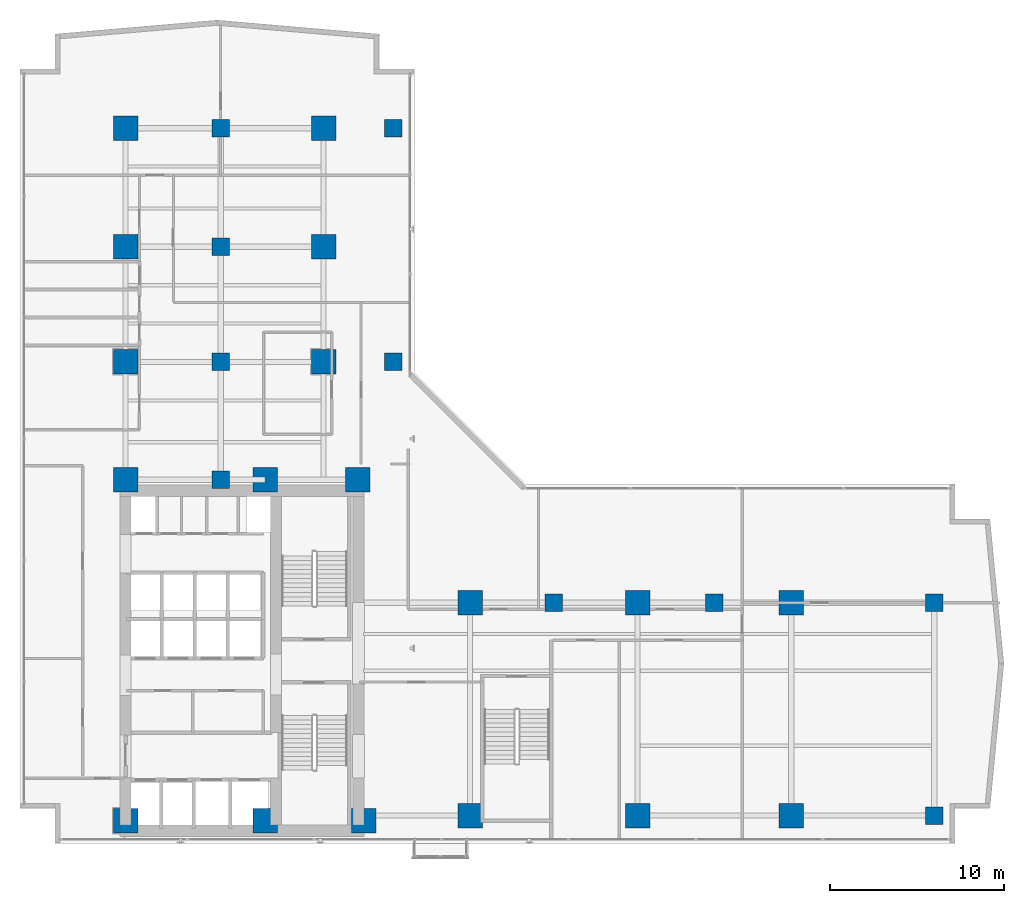
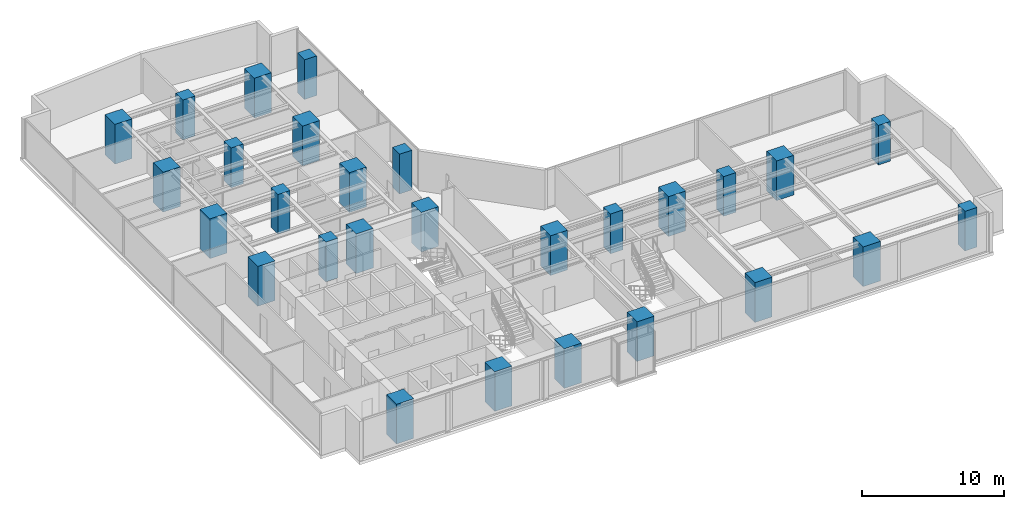
# One storey, part 1 of 25: 28 columns.
"""IFC4 building model written with IfcOpenShell, lengths in metres."""

from ifc_helpers import new_model, si_unit, direction, frame, origin, origin_2d, place, context, subcontext, project, spatial, rectangle, extrude, material, material_profile, profile_set, type_object, element, save


model = new_model("IFC4")

# Units and contexts
model_context = context("Model", 3, precision=1e-05, world=origin(), true_north=direction((0.0, 1.0)))
body_context = subcontext(model_context, "Body", "Model", "MODEL_VIEW")
ifc_project = project(units=[si_unit("LENGTHUNIT", "METRE"), si_unit("AREAUNIT", "SQUARE_METRE"), si_unit("VOLUMEUNIT", "CUBIC_METRE"), si_unit("PLANEANGLEUNIT", "RADIAN"), si_unit("MASSUNIT", "GRAM", prefix="KILO")], contexts=[model_context])

# Site, building, storey
site_placement = place(None, origin())
site = spatial("IfcSite", under=ifc_project, at=site_placement, CompositionType="ELEMENT")
building_placement = place(site_placement, origin())
building = spatial("IfcBuilding", under=site, at=building_placement, Name="Kolvaren Waterfront Exchange", CompositionType="ELEMENT")
storey_placement = place(building_placement, frame((0.0, 0.0, 137.300048828125)))
storey = spatial("IfcBuildingStorey", under=building, at=storey_placement, Name="L35", CompositionType="ELEMENT", Elevation=137.300048828125)

# Columns
ifc_material = material(Name="Concrete C60/75", Category="concrete")
ifc_material_profile_1 = material_profile(ifc_material, rectangle(XDim=1.0, YDim=1.0, at=origin_2d()), Name="RC-COL-1000x1000")
ifc_profile_set_1 = profile_set([ifc_material_profile_1], Name="Concrete C60/75")
column_type_1 = type_object("IfcColumnType", Name="STR-COL-1000-C60", PredefinedType="COLUMN", material=ifc_profile_set_1)
for number, where, z_axis, x_axis, name in (
    (1, (53.800048828125, 5.199951171875, 0.0), (0.0, 0.0, 1.0), (1.0, 0.0, 0.0), "L35 column ZC01"),
    (2, (53.800048828125, 17.39990234375, 0.0), (0.0, 0.0, 1.0), (1.0, 0.0, 0.0), "L35 column ZC02"),
    (3, (22.800048828125, 31.199951171875, 0.0), (0.0, 0.0, 1.0), (1.0, 0.0, 0.0), "L35 column ZC05"),
    (4, (22.800048828125, 44.60009765625, 0.0), (0.0, 0.0, 1.0), (1.0, 0.0, 0.0), "L35 column ZC06"),
    (5, (12.89990234375, 24.449951171875, 0.0), (0.0, 0.0, 1.0), (1.0, 0.0, 0.0), "L35 column TC01"),
    (6, (12.89990234375, 31.199951171875, 0.0), (0.0, 0.0, 1.0), (1.0, 0.0, 0.0), "L35 column TC02"),
    (7, (12.89990234375, 37.800048828125, 0.0), (0.0, 0.0, 1.0), (1.0, 0.0, 0.0), "L35 column TC03"),
    (8, (12.89990234375, 44.60009765625, 0.0), (0.0, 0.0, 1.0), (1.0, 0.0, 0.0), "L35 column TC04"),
    (9, (32.0, 17.39990234375, 0.0), (0.0, 0.0, 1.0), (1.0, 0.0, 0.0), "L35 column TC05"),
    (10, (41.199951171875, 17.39990234375, 0.0), (0.0, 0.0, 1.0), (1.0, 0.0, 0.0), "L35 column TC06"),
):
    element("IfcColumn", number, at=place(storey_placement, frame(where, z_axis=z_axis, x_axis=x_axis)), inside=storey, type_object=column_type_1, Name=name, PredefinedType="COLUMN", context=body_context, shape_type="SweptSolid", body=[
        extrude(rectangle(XDim=1.0, YDim=1.0, at=origin_2d()), origin(), (0.0, 0.0, 1.0), 3.419921875),
    ])
ifc_material_profile_2 = material_profile(ifc_material, rectangle(XDim=1.39990234375, YDim=1.39990234375, at=origin_2d()), Name="RC-COL-1400x1400")
ifc_profile_set_2 = profile_set([ifc_material_profile_2], Name="Concrete C60/75")
column_type_2 = type_object("IfcColumnType", Name="STR-COL-1400-C60", PredefinedType="COLUMN", material=ifc_profile_set_2)
for number, where, z_axis, x_axis, name in (
    (11, (7.449951171875, 4.89990234375, 0.0), (0.0, 0.0, 1.0), (1.0, 0.0, 0.0), "L35 column MC01"),
    (12, (15.449951171875, 4.89990234375, 0.0), (0.0, 0.0, 1.0), (1.0, 0.0, 0.0), "L35 column MC02"),
    (13, (21.10009765625, 4.89990234375, 0.0), (0.0, 0.0, 1.0), (1.0, 0.0, 0.0), "L35 column MC03"),
    (14, (7.449951171875, 24.449951171875, 0.0), (0.0, 0.0, 1.0), (1.0, 0.0, 0.0), "L35 column MC04"),
    (15, (15.449951171875, 24.449951171875, 0.0), (0.0, 0.0, 1.0), (1.0, 0.0, 0.0), "L35 column MC05"),
    (16, (20.75, 24.449951171875, 0.0), (0.0, 0.0, 1.0), (1.0, 0.0, 0.0), "L35 column MC06"),
    (17, (7.449951171875, 31.199951171875, 0.0), (0.0, 0.0, 1.0), (1.0, 0.0, 0.0), "L35 column NC01"),
    (18, (7.449951171875, 37.800048828125, 0.0), (0.0, 0.0, 1.0), (1.0, 0.0, 0.0), "L35 column NC02"),
    (19, (7.449951171875, 44.60009765625, 0.0), (0.0, 0.0, 1.0), (1.0, 0.0, 0.0), "L35 column NC03"),
    (20, (18.800048828125, 31.199951171875, 0.0), (0.0, 0.0, 1.0), (1.0, 0.0, 0.0), "L35 column NC04"),
    (21, (18.800048828125, 37.800048828125, 0.0), (0.0, 0.0, 1.0), (1.0, 0.0, 0.0), "L35 column NC05"),
    (22, (18.800048828125, 44.60009765625, 0.0), (0.0, 0.0, 1.0), (1.0, 0.0, 0.0), "L35 column NC06"),
    (23, (27.199951171875, 5.199951171875, 0.0), (0.0, 0.0, 1.0), (1.0, 0.0, 0.0), "L35 column EC01"),
    (24, (36.800048828125, 5.199951171875, 0.0), (0.0, 0.0, 1.0), (1.0, 0.0, 0.0), "L35 column EC02"),
    (25, (45.60009765625, 5.199951171875, 0.0), (0.0, 0.0, 1.0), (1.0, 0.0, 0.0), "L35 column EC03"),
    (26, (27.199951171875, 17.39990234375, 0.0), (0.0, 0.0, 1.0), (1.0, 0.0, 0.0), "L35 column EC04"),
    (27, (36.800048828125, 17.39990234375, 0.0), (0.0, 0.0, 1.0), (1.0, 0.0, 0.0), "L35 column EC05"),
    (28, (45.60009765625, 17.39990234375, 0.0), (0.0, 0.0, 1.0), (1.0, 0.0, 0.0), "L35 column EC06"),
):
    element("IfcColumn", number, at=place(storey_placement, frame(where, z_axis=z_axis, x_axis=x_axis)), inside=storey, type_object=column_type_2, Name=name, PredefinedType="COLUMN", context=body_context, shape_type="SweptSolid", body=[
        extrude(rectangle(XDim=1.39990234375, YDim=1.39990234375, at=origin_2d()), origin(), (0.0, 0.0, 1.0), 3.419921875),
    ])

save(model, "model.ifc")
